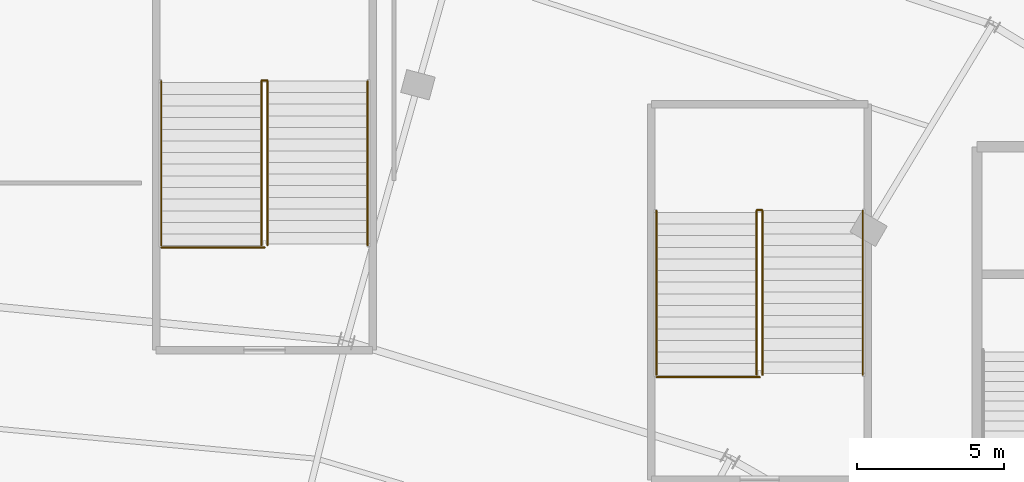
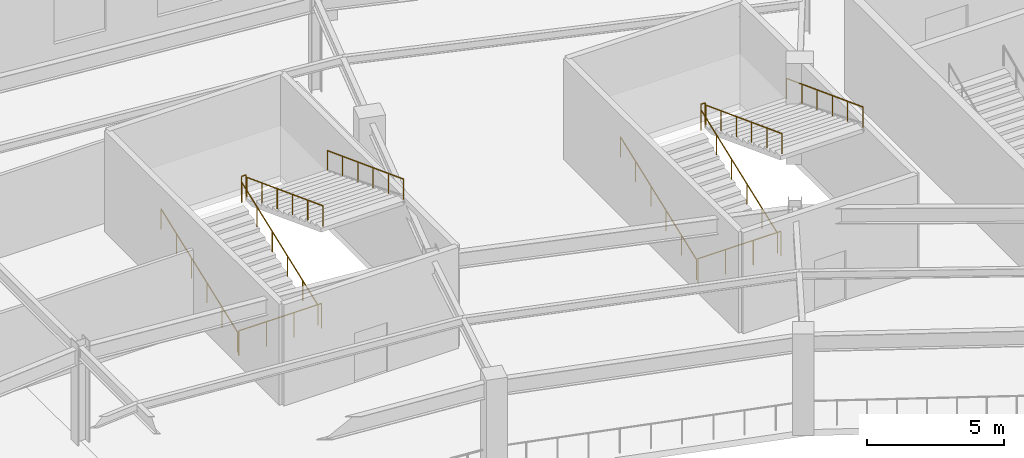
# One storey, part 101 of 107: 12 railings.
"""IFC4 building model written with IfcOpenShell, lengths in metres."""

import ifcopenshell
import ifcopenshell.guid

model = None  # the IFC model being written
_history = None  # IfcOwnerHistory: only IFC2X3 demands one
_inside = {}  # id of a spatial element -> (the spatial element, [elements in it])
_under = {}  # id of a project, library or spatial element -> (it, [spatial elements below it])
_declared = {}  # id of a project -> (the project, [libraries it declares])
_typed = {}  # id of a type object -> (the type object, [elements of that type])
_made_of = {}  # id of a material, layer set ... -> (it, [elements and type objects made of it])


def new_model(schema):
    """Start an empty IFC model of exactly this schema.

    Asked for "IFC4X3", IfcOpenShell would pick the latest addendum, in which some entities
    have other attributes; the version numbers below select the first issue.
    IFC2X3 requires an IfcOwnerHistory on every rooted entity: one is made here for all.
    """
    global model, _history
    if schema == "IFC4X3":
        model = ifcopenshell.file(schema_version=(4, 3, 0, 0))
    else:
        model = ifcopenshell.file(schema=schema)
    _inside.clear()
    _under.clear()
    _declared.clear()
    _typed.clear()
    _made_of.clear()
    _history = None
    if model.schema == "IFC2X3":
        org = make("IfcOrganization", Name="unknown")
        user = make(
            "IfcPersonAndOrganization",
            ThePerson=make("IfcPerson", FamilyName="unknown"),
            TheOrganization=org,
        )
        app = make(
            "IfcApplication",
            ApplicationDeveloper=org,
            Version="unknown",
            ApplicationFullName="unknown",
            ApplicationIdentifier="unknown",
        )
        _history = make(
            "IfcOwnerHistory",
            OwningUser=user,
            OwningApplication=app,
            ChangeAction="ADDED",
            CreationDate=0,
        )
    return model


def make(cls, **values):
    """One entity of the class cls with the attributes given. An attribute that is None is left unset."""
    return model.create_entity(
        cls, **{name: value for name, value in values.items() if value is not None}
    )


def rooted(cls, **values):
    """An entity with a GlobalId (a new one), such as an element, a storey or a relation."""
    return make(cls, GlobalId=ifcopenshell.guid.new(), OwnerHistory=_history, **values)


def si_unit(unit_type, name, prefix=None):
    """IfcSIUnit, for example si_unit("LENGTHUNIT", "METRE", prefix="MILLI")."""
    return make("IfcSIUnit", UnitType=unit_type, Prefix=prefix, Name=name)


def assignment(units):
    """IfcUnitAssignment: the units of a project."""
    return None if units is None else make("IfcUnitAssignment", Units=units)


def point(xyz):
    """IfcCartesianPoint."""
    return None if xyz is None else make("IfcCartesianPoint", Coordinates=xyz)


def direction(xyz):
    """IfcDirection."""
    return None if xyz is None else make("IfcDirection", DirectionRatios=xyz)


def frame(location, z_axis=None, x_axis=None):
    """IfcAxis2Placement3D, a coordinate frame: its origin and axes. An axis left out is left unset."""
    return make(
        "IfcAxis2Placement3D",
        Location=point(location),
        Axis=direction(z_axis),
        RefDirection=direction(x_axis),
    )


def frame_2d(location, x_axis=None):
    """IfcAxis2Placement2D, a coordinate frame in the plane: its origin and x axis."""
    return make(
        "IfcAxis2Placement2D", Location=point(location), RefDirection=direction(x_axis)
    )


def origin():
    """The frame at (0, 0, 0) with its axes left unset."""
    return frame((0.0, 0.0, 0.0))


def origin_2d():
    """The frame at (0, 0) in the plane with its x axis left unset."""
    return frame_2d((0.0, 0.0))


def place(relative_to, where):
    """IfcLocalPlacement: puts the frame where relative to a parent placement (None: the world)."""
    return make(
        "IfcLocalPlacement", PlacementRelTo=relative_to, RelativePlacement=where
    )


def context(
    kind, dimensions, precision=None, world=None, true_north=None, identifier=None
):
    """IfcGeometricRepresentationContext, for example the 3D "Model" context."""
    return make(
        "IfcGeometricRepresentationContext",
        ContextIdentifier=identifier,
        ContextType=kind,
        CoordinateSpaceDimension=dimensions,
        Precision=precision,
        WorldCoordinateSystem=world,
        TrueNorth=true_north,
    )


def subcontext(parent, identifier, kind, view, scale=None):
    """IfcGeometricRepresentationSubContext, for example "Body" below "Model"."""
    return make(
        "IfcGeometricRepresentationSubContext",
        ContextIdentifier=identifier,
        ContextType=kind,
        ParentContext=parent,
        TargetScale=scale,
        TargetView=view,
    )


def project(units=None, contexts=None):
    """IfcProject with its units and contexts."""
    return rooted(
        "IfcProject",
        Name="project",
        RepresentationContexts=contexts,
        UnitsInContext=assignment(units),
    )


def spatial(cls, under=None, at=None, **own):
    """A site, building, storey or space (cls), placed at a placement, below another one or the project."""
    s = rooted(cls, ObjectPlacement=at, **own)
    if under is not None:
        _under.setdefault(under.id(), (under, []))[1].append(s)
    return s


def profile(cls, at=None, kind="AREA", **sizes):
    """A parametric profile (cls). Its sizes go by their IFC names, for example OverallWidth=200.0."""
    return make(cls, ProfileType=kind, Position=at, **sizes)


def circle(**sizes):
    """IfcCircleProfileDef."""
    return profile("IfcCircleProfileDef", **sizes)


def extrude(swept, where, along, depth):
    """IfcExtrudedAreaSolid: the profile swept, set in the frame where, extruded along a direction by depth."""
    return make(
        "IfcExtrudedAreaSolid",
        SweptArea=swept,
        Position=where,
        ExtrudedDirection=direction(along),
        Depth=depth,
    )


def shape(context_of_items, identifier, shape_type, items):
    """IfcShapeRepresentation: the items that make up one representation, for example the "Body"."""
    return make(
        "IfcShapeRepresentation",
        ContextOfItems=context_of_items,
        RepresentationIdentifier=identifier,
        RepresentationType=shape_type,
        Items=items,
    )


def material(Name=None, Category=None):
    """IfcMaterial."""
    return make("IfcMaterial", Name=Name, Category=Category)


def made_of(thing, what):
    """Note that an element or type object is made of a material, layer set ...; save() writes the relation."""
    if what is not None:
        _made_of.setdefault(what.id(), (what, []))[1].append(thing)
    return thing


def type_object(cls, material=None, **own):
    """A type object (cls), such as IfcWallType, which elements share."""
    return made_of(rooted(cls, **own), material)


def element(
    cls,
    number,
    at=None,
    inside=None,
    cuts=None,
    type_object=None,
    material=None,
    context=None,
    identifier="Body",
    shape_type=None,
    held_by="IfcProductDefinitionShape",
    body=None,
    shapes=None,
    **own,
):
    """One element of the class cls, such as IfcWall. Its Tag is "e" and its number.

    at: its placement. inside: the storey or other place that contains it. cuts: it is an
    opening in that element (IfcRelVoidsElement). A single representation is given by context,
    identifier, shape_type and body (its items); several are given by shapes. held_by: the class
    of the entity that holds the representations. save() writes the other relations.
    """
    e = rooted(cls, Tag="e%d" % number, ObjectPlacement=at, **own)
    if body is not None:
        shapes = [shape(context, identifier, shape_type, body)]
    if shapes is not None:
        e.Representation = make(held_by, Representations=shapes)
    if inside is not None:
        _inside.setdefault(inside.id(), (inside, []))[1].append(e)
    if cuts is not None:
        rooted(
            "IfcRelVoidsElement", RelatingBuildingElement=cuts, RelatedOpeningElement=e
        )
    if type_object is not None:
        _typed.setdefault(type_object.id(), (type_object, []))[1].append(e)
    return made_of(e, material)


def aggregate(whole, parts):
    """IfcRelAggregates: a whole, such as a stair, and the parts it consists of."""
    return rooted("IfcRelAggregates", RelatingObject=whole, RelatedObjects=parts)


def save(model, path):
    """Write the relations noted so far, then the file.

    IfcRelAggregates (storeys below a building ...), IfcRelContainedInSpatialStructure (elements
    in a storey), IfcRelDefinesByType, IfcRelAssociatesMaterial and IfcRelDeclares: one each for
    every whole, place, type object, material and project.
    """
    for whole, parts in _under.values():
        aggregate(whole, parts)
    for where, things in _inside.values():
        rooted(
            "IfcRelContainedInSpatialStructure",
            RelatedElements=things,
            RelatingStructure=where,
        )
    for kind, things in _typed.values():
        rooted("IfcRelDefinesByType", RelatedObjects=things, RelatingType=kind)
    for what, things in _made_of.values():
        rooted("IfcRelAssociatesMaterial", RelatedObjects=things, RelatingMaterial=what)
    for by, libraries in _declared.values():
        rooted("IfcRelDeclares", RelatingContext=by, RelatedDefinitions=libraries)
    model.write(path)


model = new_model("IFC4")

# Units and contexts
model_context = context("Model", 3, precision=1e-05, world=origin(), true_north=direction((0.0, 1.0)))
body_context = subcontext(model_context, "Body", "Model", "MODEL_VIEW")
ifc_project = project(units=[si_unit("LENGTHUNIT", "METRE"), si_unit("AREAUNIT", "SQUARE_METRE"), si_unit("VOLUMEUNIT", "CUBIC_METRE"), si_unit("PLANEANGLEUNIT", "RADIAN"), si_unit("MASSUNIT", "GRAM", prefix="KILO")], contexts=[model_context])

# Site, building, storey
site_placement = place(None, origin())
site = spatial("IfcSite", under=ifc_project, at=site_placement, CompositionType="ELEMENT")
building_placement = place(site_placement, origin())
building = spatial("IfcBuilding", under=site, at=building_placement, Name="Kalgoora Escarpment Arena", CompositionType="ELEMENT")
storey_placement = place(building_placement, frame((0.0, 0.0, 5.39990234375)))
storey = spatial("IfcBuildingStorey", under=building, at=storey_placement, Name="L01", CompositionType="ELEMENT", Elevation=5.39990234375)

# Railings
ifc_material_1 = material(Name="Galvanised & powdercoated tubular steel", Category="steel")
railing_type_1 = type_object("IfcRailingType", Name="RAL-GUARD-1120", PredefinedType="GUARDRAIL", material=ifc_material_1)
railing_1_placement = place(storey_placement, frame((103.5048828125, 111.47998046875, 2.25)))
element("IfcRailing", 1, at=railing_1_placement, inside=storey, type_object=railing_type_1, Name="ST11 L01 half-landing well guard", PredefinedType="GUARDRAIL", context=body_context, shape_type="SweptSolid", body=[
    extrude(circle(Radius=0.02392578125, at=origin_2d()), frame((0.0, 0.0, 1.09619140625), z_axis=(1.0, 0.0, 0.0), x_axis=(0.0, 1.0, 0.0)), (0.0, 0.0, 1.0), 0.190185546875),
    extrude(circle(Radius=0.02099609375, at=origin_2d()), origin(), (0.0, 0.0, 1.0), 1.072021484375),
    extrude(circle(Radius=0.02099609375, at=origin_2d()), frame((0.190185546875, 0.0, 0.0)), (0.0, 0.0, 1.0), 1.072021484375),
])
railing_2_placement = place(storey_placement, frame((100.110107421875, 105.81005859375, 0.0)))
element("IfcRailing", 2, at=railing_2_placement, inside=storey, type_object=railing_type_1, Name="ST11 L01 floor landing well guard", PredefinedType="GUARDRAIL", context=body_context, shape_type="SweptSolid", body=[
    extrude(circle(Radius=0.02392578125, at=origin_2d()), frame((0.0, 0.0, 1.09619140625), z_axis=(1.0, 0.0, 0.0), x_axis=(0.0, 1.0, 0.0)), (0.0, 0.0, 1.0), 3.489990234375),
    extrude(circle(Radius=0.02099609375, at=origin_2d()), origin(), (0.0, 0.0, 1.0), 1.072021484375),
    extrude(circle(Radius=0.02099609375, at=origin_2d()), frame((1.163330078125, 0.0, 0.0)), (0.0, 0.0, 1.0), 1.072021484375),
    extrude(circle(Radius=0.02099609375, at=origin_2d()), frame((2.32666015625, 0.0, 0.0)), (0.0, 0.0, 1.0), 1.072021484375),
    extrude(circle(Radius=0.02099609375, at=origin_2d()), frame((3.489990234375, 0.0, 0.0)), (0.0, 0.0, 1.0), 1.072021484375),
])
railing_3_placement = place(storey_placement, frame((120.31005859375, 107.080078125, 2.25)))
element("IfcRailing", 3, at=railing_3_placement, inside=storey, type_object=railing_type_1, Name="ST12 L01 half-landing well guard", PredefinedType="GUARDRAIL", context=body_context, shape_type="SweptSolid", body=[
    extrude(circle(Radius=0.02392578125, at=origin_2d()), frame((0.0, 0.0, 1.09619140625), z_axis=(1.0, 0.0, 0.0), x_axis=(0.0, 1.0, 0.0)), (0.0, 0.0, 1.0), 0.179931640625),
    extrude(circle(Radius=0.02099609375, at=origin_2d()), origin(), (0.0, 0.0, 1.0), 1.072021484375),
    extrude(circle(Radius=0.02099609375, at=origin_2d()), frame((0.179931640625, 0.0, 0.0)), (0.0, 0.0, 1.0), 1.072021484375),
])
railing_4_placement = place(storey_placement, frame((116.909912109375, 101.409912109375, 0.0)))
element("IfcRailing", 4, at=railing_4_placement, inside=storey, type_object=railing_type_1, Name="ST12 L01 floor landing well guard", PredefinedType="GUARDRAIL", context=body_context, shape_type="SweptSolid", body=[
    extrude(circle(Radius=0.02392578125, at=origin_2d()), frame((0.0, 0.0, 1.09619140625), z_axis=(1.0, 0.0, 0.0), x_axis=(0.0, 1.0, 0.0)), (0.0, 0.0, 1.0), 3.489990234375),
    extrude(circle(Radius=0.02099609375, at=origin_2d()), origin(), (0.0, 0.0, 1.0), 1.072021484375),
    extrude(circle(Radius=0.02099609375, at=origin_2d()), frame((1.163330078125, 0.0, 0.0)), (0.0, 0.0, 1.0), 1.072021484375),
    extrude(circle(Radius=0.02099609375, at=origin_2d()), frame((2.32666015625, 0.0, 0.0)), (0.0, 0.0, 1.0), 1.072021484375),
    extrude(circle(Radius=0.02099609375, at=origin_2d()), frame((3.489990234375, 0.0, 0.0)), (0.0, 0.0, 1.0), 1.072021484375),
])
ifc_material_2 = material(Name="Brushed stainless steel 316 handrail", Category="steel")
railing_type_2 = type_object("IfcRailingType", Name="RAL-HAND-920", PredefinedType="HANDRAIL", material=ifc_material_2)
for number, where, name in (
    (5, (100.10009765625, 105.889892578125, 0.110107421875), "ST11 L01 pitched stair handrail F1L"),
    (6, (103.4951171875, 105.889892578125, 0.110107421875), "ST11 L01 pitched stair handrail F1R"),
):
    element("IfcRailing", number, at=place(storey_placement, frame(where)), inside=storey, type_object=railing_type_2, Name=name, PredefinedType="HANDRAIL", context=body_context, shape_type="SweptSolid", body=[
        extrude(circle(Radius=0.02392578125, at=origin_2d()), frame((0.0, 0.0, 0.89599609375), z_axis=(0.0, 0.935492612948, 0.353346248203), x_axis=(-1.0, 0.0, 0.0)), (0.0, 0.0, 1.0), 5.943359375),
        extrude(circle(Radius=0.02099609375, at=origin_2d()), origin(), (0.0, 0.0, 1.0), 0.871826171875),
        extrude(circle(Radius=0.02099609375, at=origin_2d()), frame((0.0, 1.112060546875, 0.419921875)), (0.0, 0.0, 1.0), 0.871826171875),
        extrude(circle(Radius=0.02099609375, at=origin_2d()), frame((0.0, 2.22412109375, 0.840087890625)), (0.0, 0.0, 1.0), 0.871826171875),
        extrude(circle(Radius=0.02099609375, at=origin_2d()), frame((0.0, 3.3359375, 1.260009765625)), (0.0, 0.0, 1.0), 0.871826171875),
        extrude(circle(Radius=0.02099609375, at=origin_2d()), frame((0.0, 4.447998046875, 1.68017578125)), (0.0, 0.0, 1.0), 0.871826171875),
        extrude(circle(Radius=0.02099609375, at=origin_2d()), frame((0.0, 5.56005859375, 2.10009765625)), (0.0, 0.0, 1.0), 0.871826171875),
    ])
for number, where, name in (
    (7, (103.705078125, 111.449951171875, 2.360107421875), "ST11 L01 pitched stair handrail F2L"),
    (8, (107.10009765625, 111.449951171875, 2.360107421875), "ST11 L01 pitched stair handrail F2R"),
):
    element("IfcRailing", number, at=place(storey_placement, frame(where)), inside=storey, type_object=railing_type_2, Name=name, PredefinedType="HANDRAIL", context=body_context, shape_type="SweptSolid", body=[
        extrude(circle(Radius=0.02392578125, at=origin_2d()), frame((0.0, 0.0, 0.89599609375), z_axis=(0.0, -0.935492612948, 0.353346248203), x_axis=(1.0, 0.0, 0.0)), (0.0, 0.0, 1.0), 5.943359375),
        extrude(circle(Radius=0.02099609375, at=origin_2d()), origin(), (0.0, 0.0, 1.0), 0.871826171875),
        extrude(circle(Radius=0.02099609375, at=origin_2d()), frame((0.0, -1.112060546875, 0.419921875)), (0.0, 0.0, 1.0), 0.871826171875),
        extrude(circle(Radius=0.02099609375, at=origin_2d()), frame((0.0, -2.22412109375, 0.840087890625)), (0.0, 0.0, 1.0), 0.871826171875),
        extrude(circle(Radius=0.02099609375, at=origin_2d()), frame((0.0, -3.3359375, 1.260009765625)), (0.0, 0.0, 1.0), 0.871826171875),
        extrude(circle(Radius=0.02099609375, at=origin_2d()), frame((0.0, -4.447998046875, 1.68017578125)), (0.0, 0.0, 1.0), 0.871826171875),
        extrude(circle(Radius=0.02099609375, at=origin_2d()), frame((0.0, -5.56005859375, 2.10009765625)), (0.0, 0.0, 1.0), 0.871826171875),
    ])
for number, where, name in (
    (9, (116.89990234375, 101.489990234375, 0.110107421875), "ST12 L01 pitched stair handrail F1L"),
    (10, (120.300048828125, 101.489990234375, 0.110107421875), "ST12 L01 pitched stair handrail F1R"),
):
    element("IfcRailing", number, at=place(storey_placement, frame(where)), inside=storey, type_object=railing_type_2, Name=name, PredefinedType="HANDRAIL", context=body_context, shape_type="SweptSolid", body=[
        extrude(circle(Radius=0.02392578125, at=origin_2d()), frame((0.0, 0.0, 0.89599609375), z_axis=(0.0, 0.935492612948, 0.353346248203), x_axis=(-1.0, 0.0, 0.0)), (0.0, 0.0, 1.0), 5.943359375),
        extrude(circle(Radius=0.02099609375, at=origin_2d()), origin(), (0.0, 0.0, 1.0), 0.871826171875),
        extrude(circle(Radius=0.02099609375, at=origin_2d()), frame((0.0, 1.112060546875, 0.419921875)), (0.0, 0.0, 1.0), 0.871826171875),
        extrude(circle(Radius=0.02099609375, at=origin_2d()), frame((0.0, 2.22412109375, 0.840087890625)), (0.0, 0.0, 1.0), 0.871826171875),
        extrude(circle(Radius=0.02099609375, at=origin_2d()), frame((0.0, 3.3359375, 1.260009765625)), (0.0, 0.0, 1.0), 0.871826171875),
        extrude(circle(Radius=0.02099609375, at=origin_2d()), frame((0.0, 4.447998046875, 1.68017578125)), (0.0, 0.0, 1.0), 0.871826171875),
        extrude(circle(Radius=0.02099609375, at=origin_2d()), frame((0.0, 5.56005859375, 2.10009765625)), (0.0, 0.0, 1.0), 0.871826171875),
    ])
for number, where, name in (
    (11, (120.5, 107.050048828125, 2.360107421875), "ST12 L01 pitched stair handrail F2L"),
    (12, (123.89990234375, 107.050048828125, 2.360107421875), "ST12 L01 pitched stair handrail F2R"),
):
    element("IfcRailing", number, at=place(storey_placement, frame(where)), inside=storey, type_object=railing_type_2, Name=name, PredefinedType="HANDRAIL", context=body_context, shape_type="SweptSolid", body=[
        extrude(circle(Radius=0.02392578125, at=origin_2d()), frame((0.0, 0.0, 0.89599609375), z_axis=(0.0, -0.935492612948, 0.353346248203), x_axis=(1.0, 0.0, 0.0)), (0.0, 0.0, 1.0), 5.943359375),
        extrude(circle(Radius=0.02099609375, at=origin_2d()), origin(), (0.0, 0.0, 1.0), 0.871826171875),
        extrude(circle(Radius=0.02099609375, at=origin_2d()), frame((0.0, -1.112060546875, 0.419921875)), (0.0, 0.0, 1.0), 0.871826171875),
        extrude(circle(Radius=0.02099609375, at=origin_2d()), frame((0.0, -2.22412109375, 0.840087890625)), (0.0, 0.0, 1.0), 0.871826171875),
        extrude(circle(Radius=0.02099609375, at=origin_2d()), frame((0.0, -3.3359375, 1.260009765625)), (0.0, 0.0, 1.0), 0.871826171875),
        extrude(circle(Radius=0.02099609375, at=origin_2d()), frame((0.0, -4.447998046875, 1.68017578125)), (0.0, 0.0, 1.0), 0.871826171875),
        extrude(circle(Radius=0.02099609375, at=origin_2d()), frame((0.0, -5.56005859375, 2.10009765625)), (0.0, 0.0, 1.0), 0.871826171875),
    ])

save(model, "model.ifc")
